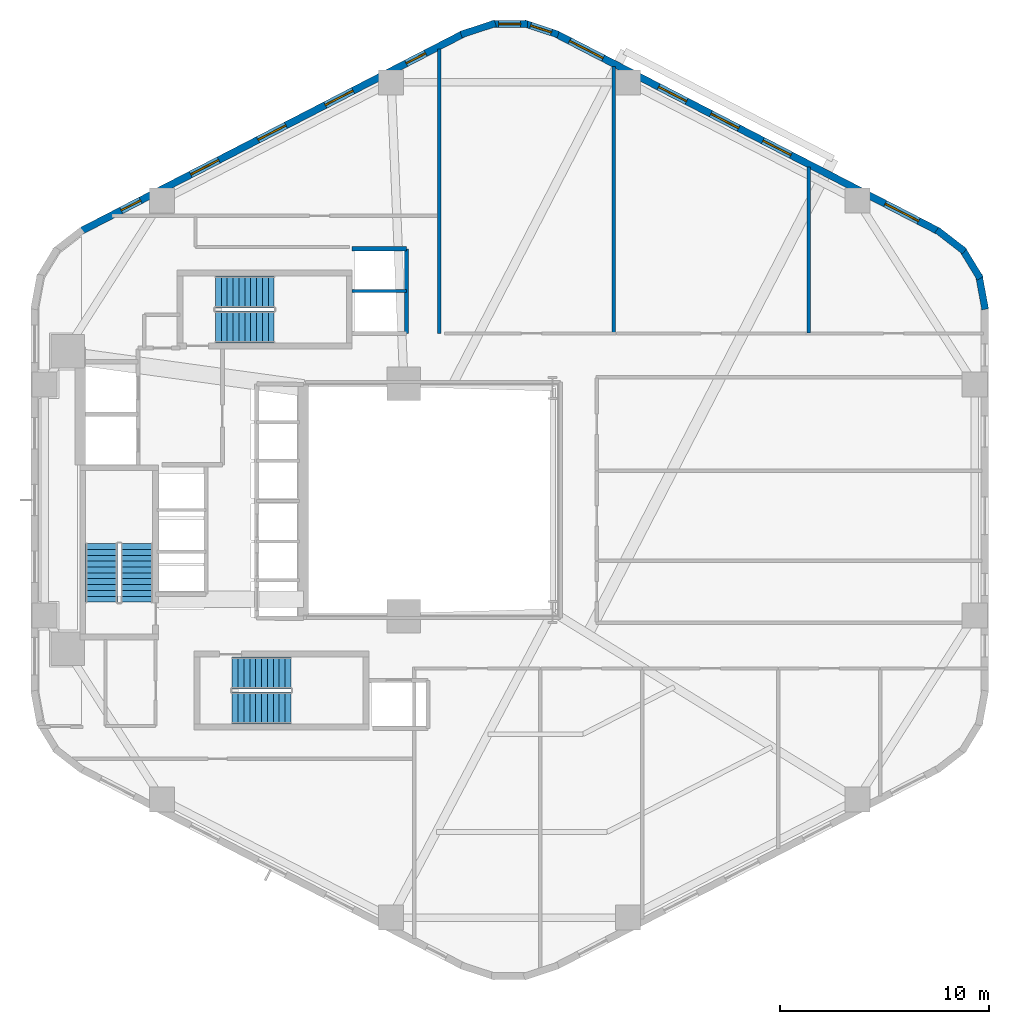
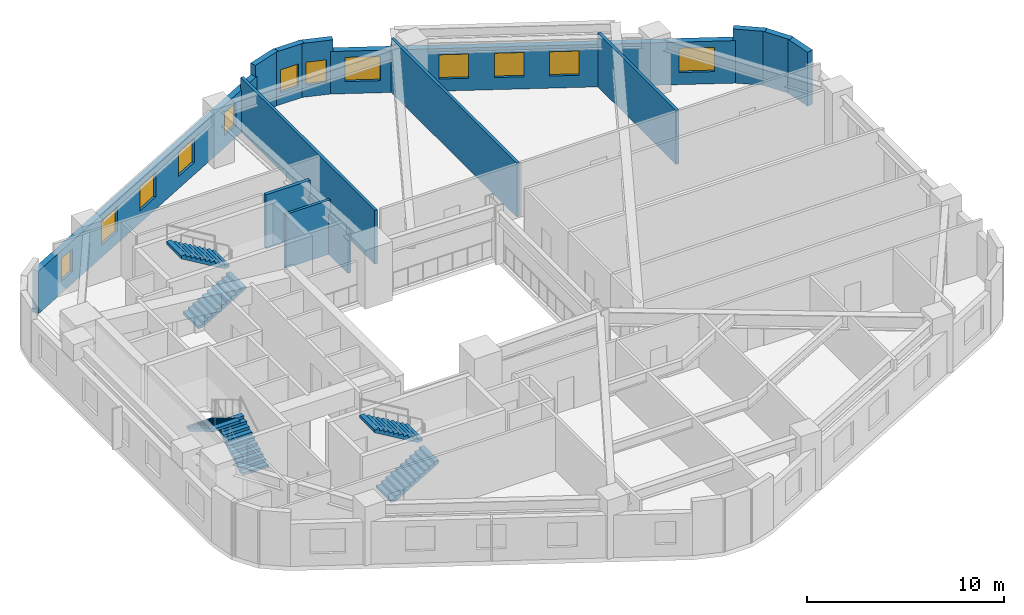
# One storey, part 5 of 6: 14 walls, 12 windows, 6 stair flights, 12 openings, 3 elements without a shape of their own.
"""IFC4 building model written with IfcOpenShell, lengths in metres."""

from ifc_helpers import new_model, si_unit, direction, frame, frame_2d, origin, place, context, subcontext, project, spatial, polyline, rectangle, outline, extrude, material, layer, layer_set, type_object, element, fill, aggregate, save


model = new_model("IFC4")

# Units and contexts
model_context = context("Model", 3, precision=1e-05, world=origin(), true_north=direction((0.0, 1.0)))
body_context = subcontext(model_context, "Body", "Model", "MODEL_VIEW")
ifc_project = project(units=[si_unit("LENGTHUNIT", "METRE"), si_unit("AREAUNIT", "SQUARE_METRE"), si_unit("VOLUMEUNIT", "CUBIC_METRE"), si_unit("PLANEANGLEUNIT", "RADIAN"), si_unit("MASSUNIT", "GRAM", prefix="KILO"), si_unit("THERMODYNAMICTEMPERATUREUNIT", "KELVIN"), si_unit("POWERUNIT", "WATT")], contexts=[model_context])

# Site, building, storey
site_placement = place(None, origin())
site = spatial("IfcSite", under=ifc_project, at=site_placement, CompositionType="ELEMENT")
building_placement = place(site_placement, origin())
building = spatial("IfcBuilding", under=site, at=building_placement, Name="Skarre Station Tower", CompositionType="ELEMENT")
storey_placement = place(building_placement, frame((0.0, 0.0, 92.699951171875)))
storey = spatial("IfcBuildingStorey", under=building, at=storey_placement, Name="L24", CompositionType="ELEMENT", Elevation=92.699951171875)

# Wall, openings, windows
ifc_material_1 = material(Name="Precast concrete C45/55", Category="concrete")
ifc_layer_1 = layer(ifc_material_1, 0.340087890625, Name="Precast concrete C45/55")
ifc_layer_set_1 = layer_set([ifc_layer_1], Name="Precast concrete C45/55")
wall_type_1 = type_object("IfcWallType", Name="Nordic Honed Precast Facet Wall 340", PredefinedType="STANDARD", material=ifc_layer_set_1)
wall_1_placement = place(storey_placement, frame((39.631103515625, 46.257080078125, 0.0), z_axis=(0.0, 0.0, 1.0), x_axis=(0.888634413993, -0.458616264721, 0.0)))
wall_1 = element("IfcWall", 1, at=wall_1_placement, inside=storey, type_object=wall_type_1, Name="L24 Facet 0 Nordic Precast Masonry Wall", PredefinedType="STANDARD", context=body_context, shape_type="SweptSolid", body=[
    extrude(rectangle(XDim=20.53125, YDim=0.340087890625, at=frame_2d((10.265625, 0.0))), origin(), (0.0, 0.0, 1.0), 2.634033203125),
])
opening_1_placement = place(wall_1_placement, frame((0.715087890625, 0.0, 0.75)))
opening_1 = element("IfcOpeningElement", 2, at=opening_1_placement, cuts=wall_1, Name="Opening WN-Z1A", PredefinedType="OPENING", context=body_context, shape_type="SweptSolid", body=[
    extrude(rectangle(XDim=1.800048828125, YDim=1.5, at=frame_2d((0.89990234375, 0.75))), frame((0.0, 0.179931640625, 0.0), z_axis=(0.0, -1.0, 0.0), x_axis=(1.0, 0.0, 0.0)), (0.0, 0.0, 1.0), 0.360107421875),
])
opening_2_placement = place(wall_1_placement, frame((5.498046875, 0.0, 0.75)))
opening_2 = element("IfcOpeningElement", 3, at=opening_2_placement, cuts=wall_1, Name="Opening WN-Z1B", PredefinedType="OPENING", context=body_context, shape_type="SweptSolid", body=[
    extrude(rectangle(XDim=1.5, YDim=1.5, at=frame_2d((0.75, 0.75))), frame((0.0, 0.179931640625, 0.0), z_axis=(0.0, -1.0, 0.0), x_axis=(1.0, 0.0, 0.0)), (0.0, 0.0, 1.0), 0.360107421875),
])
opening_3_placement = place(wall_1_placement, frame((8.302001953125, 0.0, 0.75)))
opening_3 = element("IfcOpeningElement", 4, at=opening_3_placement, cuts=wall_1, Name="Opening WN-Z1B", PredefinedType="OPENING", context=body_context, shape_type="SweptSolid", body=[
    extrude(rectangle(XDim=1.5, YDim=1.5, at=frame_2d((0.75, 0.75))), frame((0.0, 0.179931640625, 0.0), z_axis=(0.0, -1.0, 0.0), x_axis=(1.0, 0.0, 0.0)), (0.0, 0.0, 1.0), 0.360107421875),
])
opening_4_placement = place(wall_1_placement, frame((11.10595703125, 0.0, 0.75)))
opening_4 = element("IfcOpeningElement", 5, at=opening_4_placement, cuts=wall_1, Name="Opening WN-Z1B", PredefinedType="OPENING", context=body_context, shape_type="SweptSolid", body=[
    extrude(rectangle(XDim=1.5, YDim=1.5, at=frame_2d((0.75, 0.75))), frame((0.0, 0.179931640625, 0.0), z_axis=(0.0, -1.0, 0.0), x_axis=(1.0, 0.0, 0.0)), (0.0, 0.0, 1.0), 0.360107421875),
])
opening_5_placement = place(wall_1_placement, frame((17.673095703125, 0.0, 0.75)))
opening_5 = element("IfcOpeningElement", 6, at=opening_5_placement, cuts=wall_1, Name="Opening WN-Z1A", PredefinedType="OPENING", context=body_context, shape_type="SweptSolid", body=[
    extrude(rectangle(XDim=1.800048828125, YDim=1.5, at=frame_2d((0.89990234375, 0.75))), frame((0.0, 0.179931640625, 0.0), z_axis=(0.0, -1.0, 0.0), x_axis=(1.0, 0.0, 0.0)), (0.0, 0.0, 1.0), 0.360107421875),
])
ifc_material_2 = material(Name="Low-Iron Triple Glazing with Bronze Anodized Frame", Category="glass")
window_type_1 = type_object("IfcWindowType", Name="Nordic Punched Triple-Glazed Window 1500x1500", PartitioningType="SINGLE_PANEL", PredefinedType="WINDOW", material=ifc_material_2)
window_1_placement = place(opening_2_placement, origin())
window_1 = element("IfcWindow", 7, at=window_1_placement, inside=storey, type_object=window_type_1, Name="L24 Facade Window WL-FAC-L24-F0-2", OverallHeight=1.5, OverallWidth=1.5, PartitioningType="SINGLE_PANEL", PredefinedType="WINDOW", context=body_context, shape_type="SweptSolid", body=[
    extrude(rectangle(XDim=1.5, YDim=1.5, at=frame_2d((0.75, 0.75))), frame((0.0, 0.030029296875, 0.0), z_axis=(0.0, -1.0, 0.0), x_axis=(1.0, 0.0, 0.0)), (0.0, 0.0, 1.0), 0.06005859375),
])
fill(opening_2, window_1)
window_2_placement = place(opening_3_placement, origin())
window_2 = element("IfcWindow", 8, at=window_2_placement, inside=storey, type_object=window_type_1, Name="L24 Facade Window WL-FAC-L24-F0-3", OverallHeight=1.5, OverallWidth=1.5, PartitioningType="SINGLE_PANEL", PredefinedType="WINDOW", context=body_context, shape_type="SweptSolid", body=[
    extrude(rectangle(XDim=1.5, YDim=1.5, at=frame_2d((0.75, 0.75))), frame((0.0, 0.030029296875, 0.0), z_axis=(0.0, -1.0, 0.0), x_axis=(1.0, 0.0, 0.0)), (0.0, 0.0, 1.0), 0.06005859375),
])
fill(opening_3, window_2)
window_3_placement = place(opening_4_placement, origin())
window_3 = element("IfcWindow", 9, at=window_3_placement, inside=storey, type_object=window_type_1, Name="L24 Facade Window WL-FAC-L24-F0-4", OverallHeight=1.5, OverallWidth=1.5, PartitioningType="SINGLE_PANEL", PredefinedType="WINDOW", context=body_context, shape_type="SweptSolid", body=[
    extrude(rectangle(XDim=1.5, YDim=1.5, at=frame_2d((0.75, 0.75))), frame((0.0, 0.030029296875, 0.0), z_axis=(0.0, -1.0, 0.0), x_axis=(1.0, 0.0, 0.0)), (0.0, 0.0, 1.0), 0.06005859375),
])
fill(opening_4, window_3)
window_type_2 = type_object("IfcWindowType", Name="Nordic Punched Triple-Glazed Window 1800x1500", PartitioningType="SINGLE_PANEL", PredefinedType="WINDOW", material=ifc_material_2)
window_4_placement = place(opening_1_placement, origin())
window_4 = element("IfcWindow", 10, at=window_4_placement, inside=storey, type_object=window_type_2, Name="L24 Facade Window WL-FAC-L24-F0-1", OverallHeight=1.5, OverallWidth=1.800048828125, PartitioningType="SINGLE_PANEL", PredefinedType="WINDOW", context=body_context, shape_type="SweptSolid", body=[
    extrude(rectangle(XDim=1.800048828125, YDim=1.5, at=frame_2d((0.89990234375, 0.75))), frame((0.0, 0.030029296875, 0.0), z_axis=(0.0, -1.0, 0.0), x_axis=(1.0, 0.0, 0.0)), (0.0, 0.0, 1.0), 0.06005859375),
])
fill(opening_1, window_4)
window_5_placement = place(opening_5_placement, origin())
window_5 = element("IfcWindow", 11, at=window_5_placement, inside=storey, type_object=window_type_2, Name="L24 Facade Window WL-FAC-L24-F0-5", OverallHeight=1.5, OverallWidth=1.800048828125, PartitioningType="SINGLE_PANEL", PredefinedType="WINDOW", context=body_context, shape_type="SweptSolid", body=[
    extrude(rectangle(XDim=1.800048828125, YDim=1.5, at=frame_2d((0.89990234375, 0.75))), frame((0.0, 0.030029296875, 0.0), z_axis=(0.0, -1.0, 0.0), x_axis=(1.0, 0.0, 0.0)), (0.0, 0.0, 1.0), 0.06005859375),
])
fill(opening_5, window_5)

wall_2_placement = place(storey_placement, frame((16.924072265625, 36.841064453125, 0.0), z_axis=(0.0, 0.0, 1.0), x_axis=(0.888634413993, 0.458616264721, 0.0)))
wall_2 = element("IfcWall", 12, at=wall_2_placement, inside=storey, type_object=wall_type_1, Name="L24 Facet 1 Nordic Precast Masonry Wall", PredefinedType="STANDARD", context=body_context, shape_type="SweptSolid", body=[
    extrude(rectangle(XDim=20.53125, YDim=0.340087890625, at=frame_2d((10.265625, 0.0))), origin(), (0.0, 0.0, 1.0), 2.634033203125),
])
opening_6_placement = place(wall_2_placement, frame((2.160888671875, 0.0, 0.75)))
opening_6 = element("IfcOpeningElement", 13, at=opening_6_placement, cuts=wall_2, Name="Opening WN-SLT", PredefinedType="OPENING", context=body_context, shape_type="SweptSolid", body=[
    extrude(rectangle(XDim=1.050048828125, YDim=1.39990234375, at=frame_2d((0.52490234375, 0.699951171875))), frame((0.0, 0.179931640625, 0.0), z_axis=(0.0, -1.0, 0.0), x_axis=(1.0, 0.0, 0.0)), (0.0, 0.0, 1.0), 0.360107421875),
])
opening_7_placement = place(wall_2_placement, frame((5.903076171875, 0.0, 0.75)))
opening_7 = element("IfcOpeningElement", 14, at=opening_7_placement, cuts=wall_2, Name="Opening WN-Z1B", PredefinedType="OPENING", context=body_context, shape_type="SweptSolid", body=[
    extrude(rectangle(XDim=1.5, YDim=1.5, at=frame_2d((0.75, 0.75))), frame((0.0, 0.179931640625, 0.0), z_axis=(0.0, -1.0, 0.0), x_axis=(1.0, 0.0, 0.0)), (0.0, 0.0, 1.0), 0.360107421875),
])
opening_8_placement = place(wall_2_placement, frame((9.51611328125, 0.0, 0.75)))
opening_8 = element("IfcOpeningElement", 15, at=opening_8_placement, cuts=wall_2, Name="Opening WN-Z1B", PredefinedType="OPENING", context=body_context, shape_type="SweptSolid", body=[
    extrude(rectangle(XDim=1.5, YDim=1.5, at=frame_2d((0.75, 0.75))), frame((0.0, 0.179931640625, 0.0), z_axis=(0.0, -1.0, 0.0), x_axis=(1.0, 0.0, 0.0)), (0.0, 0.0, 1.0), 0.360107421875),
])
opening_9_placement = place(wall_2_placement, frame((13.12890625, 0.0, 0.75)))
opening_9 = element("IfcOpeningElement", 16, at=opening_9_placement, cuts=wall_2, Name="Opening WN-Z1B", PredefinedType="OPENING", context=body_context, shape_type="SweptSolid", body=[
    extrude(rectangle(XDim=1.5, YDim=1.5, at=frame_2d((0.75, 0.75))), frame((0.0, 0.179931640625, 0.0), z_axis=(0.0, -1.0, 0.0), x_axis=(1.0, 0.0, 0.0)), (0.0, 0.0, 1.0), 0.360107421875),
])
opening_10_placement = place(wall_2_placement, frame((17.47607421875, 0.0, 0.75)))
opening_10 = element("IfcOpeningElement", 17, at=opening_10_placement, cuts=wall_2, Name="Opening WN-SLT", PredefinedType="OPENING", context=body_context, shape_type="SweptSolid", body=[
    extrude(rectangle(XDim=1.050048828125, YDim=1.39990234375, at=frame_2d((0.52490234375, 0.699951171875))), frame((0.0, 0.179931640625, 0.0), z_axis=(0.0, -1.0, 0.0), x_axis=(1.0, 0.0, 0.0)), (0.0, 0.0, 1.0), 0.360107421875),
])
window_type_3 = type_object("IfcWindowType", Name="Nordic Corner Slot Window 1050x1400", PartitioningType="SINGLE_PANEL", PredefinedType="WINDOW", material=ifc_material_2)
window_6_placement = place(opening_6_placement, origin())
window_6 = element("IfcWindow", 18, at=window_6_placement, inside=storey, type_object=window_type_3, Name="L24 Facade Window WL-FAC-L24-F1-1", OverallHeight=1.39990234375, OverallWidth=1.050048828125, PartitioningType="SINGLE_PANEL", PredefinedType="WINDOW", context=body_context, shape_type="SweptSolid", body=[
    extrude(rectangle(XDim=1.050048828125, YDim=1.39990234375, at=frame_2d((0.52490234375, 0.699951171875))), frame((0.0, 0.030029296875, 0.0), z_axis=(0.0, -1.0, 0.0), x_axis=(1.0, 0.0, 0.0)), (0.0, 0.0, 1.0), 0.06005859375),
])
fill(opening_6, window_6)
window_7_placement = place(opening_10_placement, origin())
window_7 = element("IfcWindow", 19, at=window_7_placement, inside=storey, type_object=window_type_3, Name="L24 Facade Window WL-FAC-L24-F1-5", OverallHeight=1.39990234375, OverallWidth=1.050048828125, PartitioningType="SINGLE_PANEL", PredefinedType="WINDOW", context=body_context, shape_type="SweptSolid", body=[
    extrude(rectangle(XDim=1.050048828125, YDim=1.39990234375, at=frame_2d((0.52490234375, 0.699951171875))), frame((0.0, 0.030029296875, 0.0), z_axis=(0.0, -1.0, 0.0), x_axis=(1.0, 0.0, 0.0)), (0.0, 0.0, 1.0), 0.06005859375),
])
fill(opening_10, window_7)
window_8_placement = place(opening_7_placement, origin())
window_8 = element("IfcWindow", 20, at=window_8_placement, inside=storey, type_object=window_type_1, Name="L24 Facade Window WL-FAC-L24-F1-2", OverallHeight=1.5, OverallWidth=1.5, PartitioningType="SINGLE_PANEL", PredefinedType="WINDOW", context=body_context, shape_type="SweptSolid", body=[
    extrude(rectangle(XDim=1.5, YDim=1.5, at=frame_2d((0.75, 0.75))), frame((0.0, 0.030029296875, 0.0), z_axis=(0.0, -1.0, 0.0), x_axis=(1.0, 0.0, 0.0)), (0.0, 0.0, 1.0), 0.06005859375),
])
fill(opening_7, window_8)
window_9_placement = place(opening_8_placement, origin())
window_9 = element("IfcWindow", 21, at=window_9_placement, inside=storey, type_object=window_type_1, Name="L24 Facade Window WL-FAC-L24-F1-3", OverallHeight=1.5, OverallWidth=1.5, PartitioningType="SINGLE_PANEL", PredefinedType="WINDOW", context=body_context, shape_type="SweptSolid", body=[
    extrude(rectangle(XDim=1.5, YDim=1.5, at=frame_2d((0.75, 0.75))), frame((0.0, 0.030029296875, 0.0), z_axis=(0.0, -1.0, 0.0), x_axis=(1.0, 0.0, 0.0)), (0.0, 0.0, 1.0), 0.06005859375),
])
fill(opening_8, window_9)
window_10_placement = place(opening_9_placement, origin())
window_10 = element("IfcWindow", 22, at=window_10_placement, inside=storey, type_object=window_type_1, Name="L24 Facade Window WL-FAC-L24-F1-4", OverallHeight=1.5, OverallWidth=1.5, PartitioningType="SINGLE_PANEL", PredefinedType="WINDOW", context=body_context, shape_type="SweptSolid", body=[
    extrude(rectangle(XDim=1.5, YDim=1.5, at=frame_2d((0.75, 0.75))), frame((0.0, 0.030029296875, 0.0), z_axis=(0.0, -1.0, 0.0), x_axis=(1.0, 0.0, 0.0)), (0.0, 0.0, 1.0), 0.06005859375),
])
fill(opening_9, window_10)

# Walls
ifc_layer_2 = layer(ifc_material_1, 0.330078125, Name="Precast concrete C45/55")
ifc_layer_set_2 = layer_set([ifc_layer_2], Name="Precast concrete C45/55")
wall_type_2 = type_object("IfcWallType", Name="Nordic Rounded Corner Precast Wall 330", PredefinedType="STANDARD", material=ifc_layer_set_2)
wall_3_placement = place(storey_placement, frame((57.802001953125, 36.90087890625, 0.0), z_axis=(0.0, 0.0, 1.0), x_axis=(0.790691856293, -0.61221433207, 0.0)))
element("IfcWall", 23, at=wall_3_placement, inside=storey, type_object=wall_type_2, Name="L24 Rounded Corner Precast Wall F0-1", PredefinedType="STANDARD", context=body_context, shape_type="SweptSolid", body=[
    extrude(rectangle(XDim=1.67578125, YDim=0.330078125, at=frame_2d((0.837890625, 0.0))), origin(), (0.0, 0.0, 1.0), 3.340087890625),
])
wall_4_placement = place(storey_placement, frame((59.001953125, 36.014892578125, 0.0), z_axis=(0.0, 0.0, 1.0), x_axis=(0.520584129191, -0.853810379671, 0.0)))
element("IfcWall", 24, at=wall_4_placement, inside=storey, type_object=wall_type_2, Name="L24 Rounded Corner Precast Wall F0-2", PredefinedType="STANDARD", context=body_context, shape_type="SweptSolid", body=[
    extrude(rectangle(XDim=1.677001953125, YDim=0.330078125, at=frame_2d((0.83837890625, 0.0))), origin(), (0.0, 0.0, 1.0), 3.340087890625),
])
wall_5_placement = place(storey_placement, frame((59.80810546875, 34.758056640625, 0.0), z_axis=(0.0, 0.0, 1.0), x_axis=(0.181714143354, -0.983351397063, 0.0)))
element("IfcWall", 25, at=wall_5_placement, inside=storey, type_object=wall_type_2, Name="L24 Rounded Corner Precast Wall F0-3", PredefinedType="STANDARD", context=body_context, shape_type="SweptSolid", body=[
    extrude(rectangle(XDim=1.677978515625, YDim=0.330078125, at=frame_2d((0.8388671875, 0.0))), origin(), (0.0, 0.0, 1.0), 3.340087890625),
])
wall_6_placement = place(storey_placement, frame((35.0810546875, 46.23095703125, 0.0), z_axis=(0.0, 0.0, 1.0), x_axis=(0.94976901097, 0.312951794691, 0.0)))
element("IfcWall", 26, at=wall_6_placement, inside=storey, type_object=wall_type_2, Name="L24 Rounded Corner Precast Wall F1-1", PredefinedType="STANDARD", context=body_context, shape_type="SweptSolid", body=[
    extrude(rectangle(XDim=1.722412109375, YDim=0.330078125, at=frame_2d((0.861328125, 0.0))), origin(), (0.0, 0.0, 1.0), 3.340087890625),
])

# Wall, opening, window
wall_7_placement = place(storey_placement, frame((36.5390625, 46.740966796875, 0.0), z_axis=(0.0, 0.0, 1.0), x_axis=(1.0, 0.0, 0.0)))
wall_7 = element("IfcWall", 27, at=wall_7_placement, inside=storey, type_object=wall_type_2, Name="L24 Rounded Corner Precast Wall F1-2", PredefinedType="STANDARD", context=body_context, shape_type="SweptSolid", body=[
    extrude(rectangle(XDim=1.721923828125, YDim=0.330078125, at=frame_2d((0.86083984375, 0.0))), origin(), (0.0, 0.0, 1.0), 3.340087890625),
])
opening_11_placement = place(wall_7_placement, frame((0.3359375, 0.0, 0.75)))
opening_11 = element("IfcOpeningElement", 28, at=opening_11_placement, cuts=wall_7, Name="Opening WN-SLT", PredefinedType="OPENING", context=body_context, shape_type="SweptSolid", body=[
    extrude(rectangle(XDim=1.050048828125, YDim=1.39990234375, at=frame_2d((0.52490234375, 0.699951171875))), frame((0.0, 0.175048828125, 0.0), z_axis=(0.0, -1.0, 0.0), x_axis=(1.0, 0.0, 0.0)), (0.0, 0.0, 1.0), 0.35009765625),
])
window_11_placement = place(opening_11_placement, origin())
window_11 = element("IfcWindow", 29, at=window_11_placement, inside=storey, type_object=window_type_3, Name="L24 Apex Corner Slot Window F1-2", OverallHeight=1.39990234375, OverallWidth=1.050048828125, PartitioningType="SINGLE_PANEL", PredefinedType="WINDOW", context=body_context, shape_type="SweptSolid", body=[
    extrude(rectangle(XDim=1.050048828125, YDim=1.39990234375, at=frame_2d((0.52490234375, 0.699951171875))), frame((0.0, 0.030029296875, 0.0), z_axis=(0.0, -1.0, 0.0), x_axis=(1.0, 0.0, 0.0)), (0.0, 0.0, 1.0), 0.06005859375),
])
fill(opening_11, window_11)

wall_8_placement = place(storey_placement, frame((38.0830078125, 46.77001953125, 0.0), z_axis=(0.0, 0.0, 1.0), x_axis=(0.94976901097, -0.312951794691, 0.0)))
wall_8 = element("IfcWall", 30, at=wall_8_placement, inside=storey, type_object=wall_type_2, Name="L24 Rounded Corner Precast Wall F1-3", PredefinedType="STANDARD", context=body_context, shape_type="SweptSolid", body=[
    extrude(rectangle(XDim=1.722412109375, YDim=0.330078125, at=frame_2d((0.861328125, 0.0))), origin(), (0.0, 0.0, 1.0), 3.340087890625),
])
opening_12_placement = place(wall_8_placement, frame((0.3359375, 0.0, 0.75)))
opening_12 = element("IfcOpeningElement", 31, at=opening_12_placement, cuts=wall_8, Name="Opening WN-SLT", PredefinedType="OPENING", context=body_context, shape_type="SweptSolid", body=[
    extrude(rectangle(XDim=1.050048828125, YDim=1.39990234375, at=frame_2d((0.52490234375, 0.699951171875))), frame((0.0, 0.175048828125, 0.0), z_axis=(0.0, -1.0, 0.0), x_axis=(1.0, 0.0, 0.0)), (0.0, 0.0, 1.0), 0.35009765625),
])
window_12_placement = place(opening_12_placement, origin())
window_12 = element("IfcWindow", 32, at=window_12_placement, inside=storey, type_object=window_type_3, Name="L24 Apex Corner Slot Window F1-3", OverallHeight=1.39990234375, OverallWidth=1.050048828125, PartitioningType="SINGLE_PANEL", PredefinedType="WINDOW", context=body_context, shape_type="SweptSolid", body=[
    extrude(rectangle(XDim=1.050048828125, YDim=1.39990234375, at=frame_2d((0.52490234375, 0.699951171875))), frame((0.0, 0.030029296875, 0.0), z_axis=(0.0, -1.0, 0.0), x_axis=(1.0, 0.0, 0.0)), (0.0, 0.0, 1.0), 0.06005859375),
])
fill(opening_12, window_12)

# Walls
ifc_material_3 = material(Name="Gypsum Concrete Shaft Assembly C30/37", Category="concrete")
ifc_layer_3 = layer(ifc_material_3, 0.199951171875, Name="Gypsum Concrete Shaft Assembly C30/37")
ifc_layer_set_3 = layer_set([ifc_layer_3], Name="Gypsum Concrete Shaft Assembly C30/37")
wall_type_3 = type_object("IfcWallType", Name="Shaft & Core Fire Partition 200", PredefinedType="PARTITIONING", material=ifc_layer_set_3)
wall_9_placement = place(storey_placement, frame((32.47998046875, 31.949951171875, 0.0), z_axis=(0.0, 0.0, 1.0), x_axis=(0.0, 1.0, 0.0)))
element("IfcWall", 33, at=wall_9_placement, inside=storey, type_object=wall_type_3, Name="L24 Interior Partition WL-PT-L24-EX-E", PredefinedType="PARTITIONING", context=body_context, shape_type="SweptSolid", body=[
    extrude(rectangle(XDim=4.050048828125, YDim=0.199951171875, at=frame_2d((2.02490234375, 0.0))), origin(), (0.0, 0.0, 1.0), 2.463134765625),
])
wall_10_placement = place(storey_placement, frame((29.8798828125, 36.0, 0.0), z_axis=(0.0, 0.0, 1.0), x_axis=(1.0, 0.0, 0.0)))
element("IfcWall", 34, at=wall_10_placement, inside=storey, type_object=wall_type_3, Name="L24 Interior Partition WL-PT-L24-EX-N", PredefinedType="PARTITIONING", context=body_context, shape_type="SweptSolid", body=[
    extrude(rectangle(XDim=2.60009765625, YDim=0.199951171875, at=frame_2d((1.300048828125, 0.0))), origin(), (0.0, 0.0, 1.0), 3.340087890625),
])
wall_11_placement = place(storey_placement, frame((29.875, 33.97998046875, 0.0), z_axis=(0.0, 0.0, 1.0), x_axis=(1.0, 0.0, 0.0)))
element("IfcWall", 35, at=wall_11_placement, inside=storey, type_object=wall_type_3, Name="L24 Interior Partition WL-PT-L24-EX-DIV", PredefinedType="PARTITIONING", context=body_context, shape_type="SweptSolid", body=[
    extrude(rectangle(XDim=2.60498046875, YDim=0.159912109375, at=frame_2d((1.302490234375, 0.0))), origin(), (0.0, 0.0, 1.0), 3.340087890625),
])
ifc_material_4 = material(Name="Acoustic Steel-Stud Gypsum Partition", Category="steel")
ifc_layer_4 = layer(ifc_material_4, 0.1650390625, Name="Acoustic Steel-Stud Gypsum Partition")
ifc_layer_set_4 = layer_set([ifc_layer_4], Name="Acoustic Steel-Stud Gypsum Partition")
wall_type_4 = type_object("IfcWallType", Name="Suite Demising Acoustic Partition 165", PredefinedType="PARTITIONING", material=ifc_layer_set_4)
wall_12_placement = place(storey_placement, frame((34.0400390625, 31.9599609375, 0.0), z_axis=(0.0, 0.0, 1.0), x_axis=(0.0, 1.0, 0.0)))
element("IfcWall", 36, at=wall_12_placement, inside=storey, type_object=wall_type_4, Name="L24 Interior Partition WL-PT-L24-NW-WBND", PredefinedType="PARTITIONING", context=body_context, shape_type="SweptSolid", body=[
    extrude(rectangle(XDim=13.5791015625, YDim=0.1650390625, at=frame_2d((6.78955078125, 0.0))), origin(), (0.0, 0.0, 1.0), 3.340087890625),
])
wall_13_placement = place(storey_placement, frame((42.363037109375, 31.969970703125, 0.0), z_axis=(0.0, 0.0, 1.0), x_axis=(0.0, 1.0, 0.0)))
element("IfcWall", 37, at=wall_13_placement, inside=storey, type_object=wall_type_4, Name="L24 Interior Partition WL-PT-L24-NW-P1", PredefinedType="PARTITIONING", context=body_context, shape_type="SweptSolid", body=[
    extrude(rectangle(XDim=12.741943359375, YDim=0.1650390625, at=frame_2d((6.37109375, 0.0))), origin(), (0.0, 0.0, 1.0), 3.340087890625),
])
wall_14_placement = place(storey_placement, frame((51.679931640625, 31.969970703125, 0.0), z_axis=(0.0, 0.0, 1.0), x_axis=(0.0, 1.0, 0.0)))
element("IfcWall", 38, at=wall_14_placement, inside=storey, type_object=wall_type_4, Name="L24 Interior Partition WL-PT-L24-NW-P2", PredefinedType="PARTITIONING", context=body_context, shape_type="SweptSolid", body=[
    extrude(rectangle(XDim=7.93408203125, YDim=0.1650390625, at=frame_2d((3.967041015625, 0.0))), origin(), (0.0, 0.0, 1.0), 3.340087890625),
])

# Stair, stair flights
ifc_material_5 = material(Name="Concrete C40/50", Category="concrete")
stair_type_1 = type_object("IfcStairType", Name="Reinforced Concrete Exit Stair ST-1", PredefinedType="HALF_TURN_STAIR", material=ifc_material_5)
stair_1_placement = place(storey_placement, origin())
stair_1 = element("IfcStair", 39, at=stair_1_placement, inside=storey, type_object=stair_type_1, Name="L24 Core Exit Stair ST-1", PredefinedType="HALF_TURN_STAIR")
stair_flight_type_1 = type_object("IfcStairFlightType", Name="Reinforced Concrete Stair Flight ST-1", PredefinedType="STRAIGHT", material=ifc_material_5)
stair_flight_1_placement = place(storey_placement, frame((19.590087890625, 19.1201171875, 0.0), z_axis=(0.0, 0.0, 1.0), x_axis=(0.0, 1.0, 0.0)))
stair_flight_1 = element("IfcStairFlight", 40, at=stair_flight_1_placement, type_object=stair_flight_type_1, Name="ST-1 flight 1", NumberOfRisers=11, NumberOfTreads=10, PredefinedType="STRAIGHT", RiserHeight=0.165909091, TreadLength=0.28, context=body_context, shape_type="SweptSolid", body=[
    extrude(outline(polyline([(0.0, 0.0), (0.0, 0.166015625), (0.280029296875, 0.166015625), (0.280029296875, 0.331787109375), (0.56005859375, 0.331787109375), (0.56005859375, 0.497802734375), (0.840087890625, 0.497802734375), (0.840087890625, 0.66357421875), (1.1201171875, 0.66357421875), (1.1201171875, 0.82958984375), (1.39990234375, 0.82958984375), (1.39990234375, 0.995361328125), (1.679931640625, 0.995361328125), (1.679931640625, 1.161376953125), (1.9599609375, 1.161376953125), (1.9599609375, 1.327392578125), (2.239990234375, 1.327392578125), (2.239990234375, 1.4931640625), (2.52001953125, 1.4931640625), (2.52001953125, 1.6591796875), (2.800048828125, 1.6591796875), (2.800048828125, 1.824951171875), (2.800048828125, 1.48486328125), (0.2939453125, 0.0), (0.0, 0.0)])), frame((0.0, 0.760009765625, 0.0), z_axis=(0.0, -1.0, 0.0), x_axis=(1.0, 0.0, 0.0)), (0.0, 0.0, 1.0), 1.52001953125),
])
stair_flight_2_placement = place(storey_placement, frame((17.909912109375, 21.919921875, 1.824951171875), z_axis=(0.0, 0.0, 1.0), x_axis=(0.0, -1.0, 0.0)))
stair_flight_2 = element("IfcStairFlight", 41, at=stair_flight_2_placement, type_object=stair_flight_type_1, Name="ST-1 flight 2", NumberOfRisers=11, NumberOfTreads=10, PredefinedType="STRAIGHT", RiserHeight=0.165909091, TreadLength=0.28, context=body_context, shape_type="SweptSolid", body=[
    extrude(outline(polyline([(0.0, 0.0), (0.0, 0.166015625), (0.280029296875, 0.166015625), (0.280029296875, 0.331787109375), (0.56005859375, 0.331787109375), (0.56005859375, 0.497802734375), (0.840087890625, 0.497802734375), (0.840087890625, 0.66357421875), (1.1201171875, 0.66357421875), (1.1201171875, 0.82958984375), (1.39990234375, 0.82958984375), (1.39990234375, 0.995361328125), (1.679931640625, 0.995361328125), (1.679931640625, 1.161376953125), (1.9599609375, 1.161376953125), (1.9599609375, 1.327392578125), (2.239990234375, 1.327392578125), (2.239990234375, 1.4931640625), (2.52001953125, 1.4931640625), (2.52001953125, 1.6591796875), (2.800048828125, 1.6591796875), (2.800048828125, 1.824951171875), (2.800048828125, 1.48486328125), (0.2939453125, 0.0), (0.0, 0.0)])), frame((0.0, 0.760009765625, 0.0), z_axis=(0.0, -1.0, 0.0), x_axis=(1.0, 0.0, 0.0)), (0.0, 0.0, 1.0), 1.52001953125),
])
aggregate(stair_1, [stair_flight_1, stair_flight_2])

stair_type_2 = type_object("IfcStairType", Name="Reinforced Concrete Exit Stair ST-2", PredefinedType="HALF_TURN_STAIR", material=ifc_material_5)
stair_2_placement = place(storey_placement, origin())
stair_2 = element("IfcStair", 42, at=stair_2_placement, inside=storey, type_object=stair_type_2, Name="L24 Core Exit Stair ST-2", PredefinedType="HALF_TURN_STAIR")
stair_flight_type_2 = type_object("IfcStairFlightType", Name="Reinforced Concrete Stair Flight ST-2", PredefinedType="STRAIGHT", material=ifc_material_5)
stair_flight_3_placement = place(storey_placement, frame((24.14990234375, 14.06005859375, 0.0), z_axis=(0.0, 0.0, 1.0), x_axis=(1.0, 0.0, 0.0)))
stair_flight_3 = element("IfcStairFlight", 43, at=stair_flight_3_placement, type_object=stair_flight_type_2, Name="ST-2 flight 1", NumberOfRisers=11, NumberOfTreads=10, PredefinedType="STRAIGHT", RiserHeight=0.165909091, TreadLength=0.28, context=body_context, shape_type="SweptSolid", body=[
    extrude(outline(polyline([(0.0, 0.0), (0.0, 0.166015625), (0.280029296875, 0.166015625), (0.280029296875, 0.331787109375), (0.56005859375, 0.331787109375), (0.56005859375, 0.497802734375), (0.840087890625, 0.497802734375), (0.840087890625, 0.66357421875), (1.1201171875, 0.66357421875), (1.1201171875, 0.82958984375), (1.39990234375, 0.82958984375), (1.39990234375, 0.995361328125), (1.679931640625, 0.995361328125), (1.679931640625, 1.161376953125), (1.9599609375, 1.161376953125), (1.9599609375, 1.327392578125), (2.239990234375, 1.327392578125), (2.239990234375, 1.4931640625), (2.52001953125, 1.4931640625), (2.52001953125, 1.6591796875), (2.800048828125, 1.6591796875), (2.800048828125, 1.824951171875), (2.800048828125, 1.48486328125), (0.2939453125, 0.0), (0.0, 0.0)])), frame((0.0, 0.760009765625, 0.0), z_axis=(0.0, -1.0, 0.0), x_axis=(1.0, 0.0, 0.0)), (0.0, 0.0, 1.0), 1.52001953125),
])
stair_flight_4_placement = place(storey_placement, frame((26.949951171875, 15.739990234375, 1.824951171875), z_axis=(0.0, 0.0, 1.0), x_axis=(-1.0, 0.0, 0.0)))
stair_flight_4 = element("IfcStairFlight", 44, at=stair_flight_4_placement, type_object=stair_flight_type_2, Name="ST-2 flight 2", NumberOfRisers=11, NumberOfTreads=10, PredefinedType="STRAIGHT", RiserHeight=0.165909091, TreadLength=0.28, context=body_context, shape_type="SweptSolid", body=[
    extrude(outline(polyline([(0.0, 0.0), (0.0, 0.166015625), (0.280029296875, 0.166015625), (0.280029296875, 0.331787109375), (0.56005859375, 0.331787109375), (0.56005859375, 0.497802734375), (0.840087890625, 0.497802734375), (0.840087890625, 0.66357421875), (1.1201171875, 0.66357421875), (1.1201171875, 0.82958984375), (1.39990234375, 0.82958984375), (1.39990234375, 0.995361328125), (1.679931640625, 0.995361328125), (1.679931640625, 1.161376953125), (1.9599609375, 1.161376953125), (1.9599609375, 1.327392578125), (2.239990234375, 1.327392578125), (2.239990234375, 1.4931640625), (2.52001953125, 1.4931640625), (2.52001953125, 1.6591796875), (2.800048828125, 1.6591796875), (2.800048828125, 1.824951171875), (2.800048828125, 1.48486328125), (0.2939453125, 0.0), (0.0, 0.0)])), frame((0.0, 0.760009765625, 0.0), z_axis=(0.0, -1.0, 0.0), x_axis=(1.0, 0.0, 0.0)), (0.0, 0.0, 1.0), 1.52001953125),
])
aggregate(stair_2, [stair_flight_3, stair_flight_4])

stair_type_3 = type_object("IfcStairType", Name="Reinforced Concrete Exit Stair ST-3", PredefinedType="HALF_TURN_STAIR", material=ifc_material_5)
stair_3_placement = place(storey_placement, origin())
stair_3 = element("IfcStair", 45, at=stair_3_placement, inside=storey, type_object=stair_type_3, Name="L24 Core Exit Stair ST-3", PredefinedType="HALF_TURN_STAIR")
stair_flight_type_3 = type_object("IfcStairFlightType", Name="Reinforced Concrete Stair Flight ST-3", PredefinedType="STRAIGHT", material=ifc_material_5)
stair_flight_5_placement = place(storey_placement, frame((23.35009765625, 32.260009765625, 0.0), z_axis=(0.0, 0.0, 1.0), x_axis=(1.0, 0.0, 0.0)))
stair_flight_5 = element("IfcStairFlight", 46, at=stair_flight_5_placement, type_object=stair_flight_type_3, Name="ST-3 flight 1", NumberOfRisers=11, NumberOfTreads=10, PredefinedType="STRAIGHT", RiserHeight=0.165909091, TreadLength=0.28, context=body_context, shape_type="SweptSolid", body=[
    extrude(outline(polyline([(0.0, 0.0), (0.0, 0.166015625), (0.280029296875, 0.166015625), (0.280029296875, 0.331787109375), (0.56005859375, 0.331787109375), (0.56005859375, 0.497802734375), (0.840087890625, 0.497802734375), (0.840087890625, 0.66357421875), (1.1201171875, 0.66357421875), (1.1201171875, 0.82958984375), (1.39990234375, 0.82958984375), (1.39990234375, 0.995361328125), (1.679931640625, 0.995361328125), (1.679931640625, 1.161376953125), (1.9599609375, 1.161376953125), (1.9599609375, 1.327392578125), (2.239990234375, 1.327392578125), (2.239990234375, 1.4931640625), (2.52001953125, 1.4931640625), (2.52001953125, 1.6591796875), (2.800048828125, 1.6591796875), (2.800048828125, 1.824951171875), (2.800048828125, 1.48486328125), (0.2939453125, 0.0), (0.0, 0.0)])), frame((0.0, 0.760009765625, 0.0), z_axis=(0.0, -1.0, 0.0), x_axis=(1.0, 0.0, 0.0)), (0.0, 0.0, 1.0), 1.52001953125),
])
stair_flight_6_placement = place(storey_placement, frame((26.14990234375, 33.93994140625, 1.824951171875), z_axis=(0.0, 0.0, 1.0), x_axis=(-1.0, 0.0, 0.0)))
stair_flight_6 = element("IfcStairFlight", 47, at=stair_flight_6_placement, type_object=stair_flight_type_3, Name="ST-3 flight 2", NumberOfRisers=11, NumberOfTreads=10, PredefinedType="STRAIGHT", RiserHeight=0.165909091, TreadLength=0.28, context=body_context, shape_type="SweptSolid", body=[
    extrude(outline(polyline([(0.0, 0.0), (0.0, 0.166015625), (0.280029296875, 0.166015625), (0.280029296875, 0.331787109375), (0.56005859375, 0.331787109375), (0.56005859375, 0.497802734375), (0.840087890625, 0.497802734375), (0.840087890625, 0.66357421875), (1.1201171875, 0.66357421875), (1.1201171875, 0.82958984375), (1.39990234375, 0.82958984375), (1.39990234375, 0.995361328125), (1.679931640625, 0.995361328125), (1.679931640625, 1.161376953125), (1.9599609375, 1.161376953125), (1.9599609375, 1.327392578125), (2.239990234375, 1.327392578125), (2.239990234375, 1.4931640625), (2.52001953125, 1.4931640625), (2.52001953125, 1.6591796875), (2.800048828125, 1.6591796875), (2.800048828125, 1.824951171875), (2.800048828125, 1.48486328125), (0.2939453125, 0.0), (0.0, 0.0)])), frame((0.0, 0.760009765625, 0.0), z_axis=(0.0, -1.0, 0.0), x_axis=(1.0, 0.0, 0.0)), (0.0, 0.0, 1.0), 1.52001953125),
])
aggregate(stair_3, [stair_flight_5, stair_flight_6])

save(model, "model.ifc")
